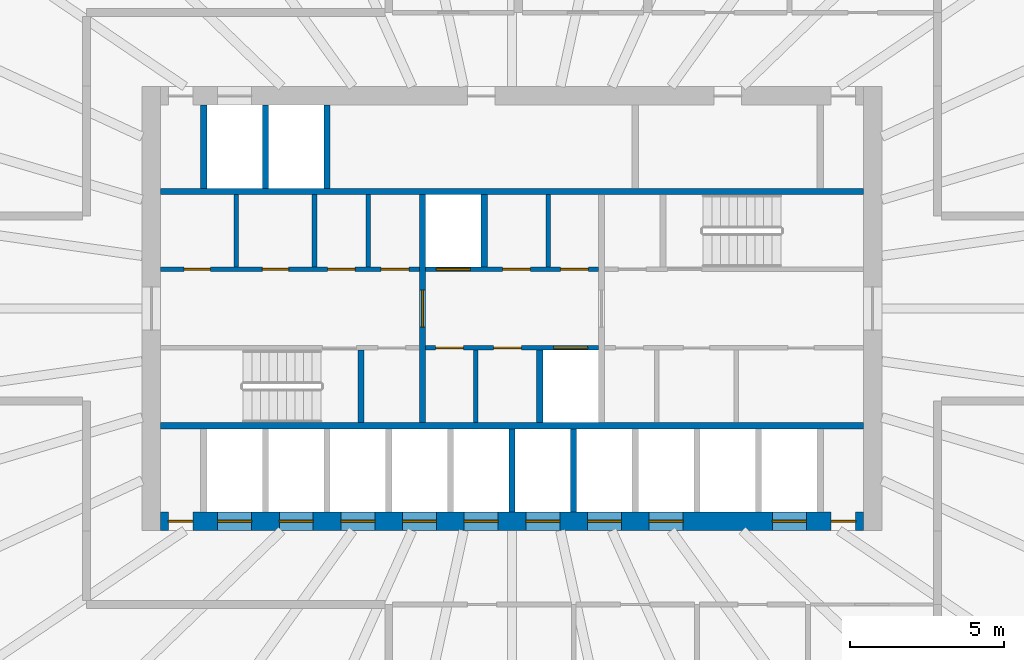
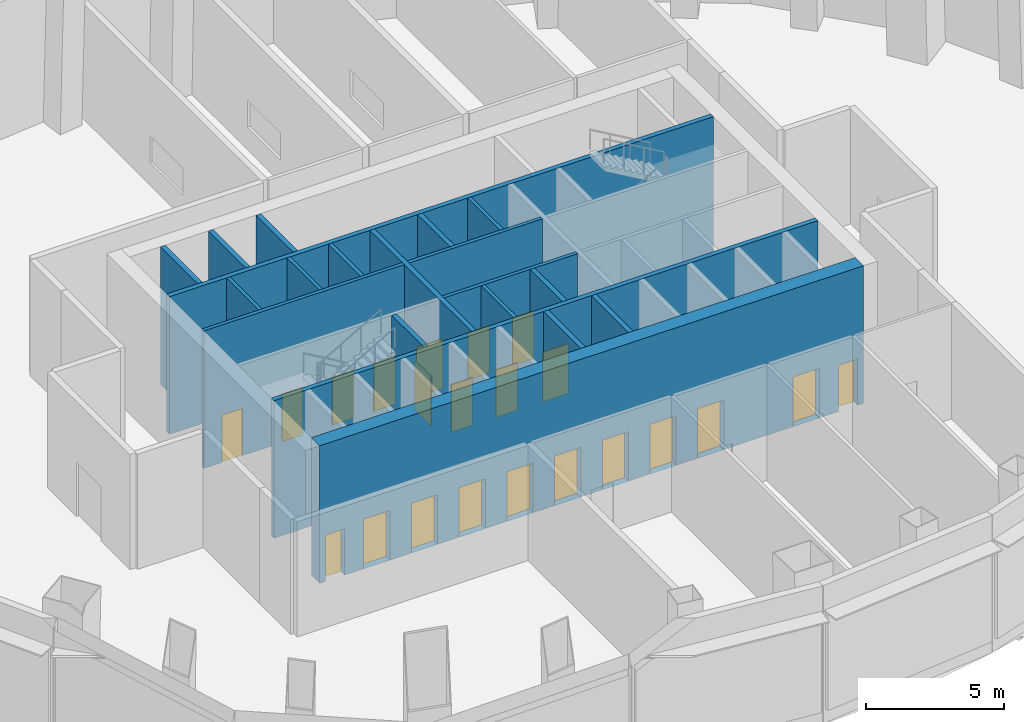
# One storey, part 3 of 9: 22 doors, 20 walls, 22 openings.
"""IFC4 building model written with IfcOpenShell, lengths in metres."""

from ifc_helpers import new_model, si_unit, direction, frame, frame_2d, origin, place, context, subcontext, project, spatial, rectangle, extrude, material, layer, layer_set, type_object, element, fill, save


model = new_model("IFC4")

# Units and contexts
model_context = context("Model", 3, precision=1e-05, world=origin(), true_north=direction((0.0, 1.0)))
body_context = subcontext(model_context, "Body", "Model", "MODEL_VIEW")
ifc_project = project(units=[si_unit("LENGTHUNIT", "METRE"), si_unit("AREAUNIT", "SQUARE_METRE"), si_unit("VOLUMEUNIT", "CUBIC_METRE"), si_unit("PLANEANGLEUNIT", "RADIAN"), si_unit("MASSUNIT", "GRAM", prefix="KILO")], contexts=[model_context])

# Site, building, storey
site_placement = place(None, origin())
site = spatial("IfcSite", under=ifc_project, at=site_placement, CompositionType="ELEMENT")
building_placement = place(site_placement, origin())
building = spatial("IfcBuilding", under=site, at=building_placement, Name="Siaravel Broadcast Tower", CompositionType="ELEMENT")
storey_placement = place(building_placement, frame((0.0, 0.0, 13.5)))
storey = spatial("IfcBuildingStorey", under=building, at=storey_placement, Name="L02", CompositionType="ELEMENT", Elevation=13.5)

# Walls
ifc_material_1 = material(Name="Concrete blockwork", Category="masonry")
ifc_layer_1 = layer(ifc_material_1, 0.14990234375)
ifc_layer_set_1 = layer_set([ifc_layer_1], Name="Concrete blockwork")
wall_type_1 = type_object("IfcWallType", Name="Core partition 150", PredefinedType="PARTITIONING", material=ifc_layer_set_1)
for number, where, z_axis, x_axis, name in (
    (1, (-8.93994140625, 1.35009765625, 0.0), (0.0, 0.0, 1.0), (0.0, 1.0, 0.0), "L02 core partition PNW0"),
    (2, (-6.405029296875, 1.35009765625, 0.0), (0.0, 0.0, 1.0), (0.0, 1.0, 0.0), "L02 core partition PNW1"),
    (3, (-4.6650390625, 1.35009765625, 0.0), (0.0, 0.0, 1.0), (0.0, 1.0, 0.0), "L02 core partition PNW2"),
    (4, (1.172607421875, 1.35009765625, 0.0), (0.0, 0.0, 1.0), (0.0, 1.0, 0.0), "L02 core partition PNM0"),
    (5, (-1.172607421875, -3.699951171875, 0.0), (0.0, 0.0, 1.0), (0.0, 1.0, 0.0), "L02 core partition PSM0"),
):
    element("IfcWall", number, at=place(storey_placement, frame(where, z_axis=z_axis, x_axis=x_axis)), inside=storey, type_object=wall_type_1, Name=name, PredefinedType="PARTITIONING", context=body_context, shape_type="SweptSolid", body=[
        extrude(rectangle(XDim=2.349853515625, YDim=0.14990234375, at=frame_2d((1.1748046875, 0.0))), origin(), (0.0, 0.0, 1.0), 6.10009765625),
    ])

# Wall, openings, doors
ifc_material_2 = material(Name="Concrete C60/75", Category="concrete")
ifc_layer_2 = layer(ifc_material_2, 0.60009765625)
ifc_layer_set_2 = layer_set([ifc_layer_2], Name="Concrete C60/75")
wall_type_2 = type_object("IfcWallType", Name="Core wall 600", PredefinedType="SHEAR", material=ifc_layer_set_2)
wall_1_placement = place(storey_placement, frame((-11.39990234375, -6.89990234375, 0.0), z_axis=(0.0, 0.0, 1.0), x_axis=(1.0, 0.0, 0.0)))
wall_1 = element("IfcWall", 6, at=wall_1_placement, inside=storey, type_object=wall_type_2, Name="L02 core wall OS", PredefinedType="SHEAR", context=body_context, shape_type="SweptSolid", body=[
    extrude(rectangle(XDim=22.7998046875, YDim=0.60009765625, at=frame_2d((11.39990234375, 0.0))), origin(), (0.0, 0.0, 1.0), 6.10009765625),
])
opening_1_placement = place(wall_1_placement, frame((1.85009765625, 0.0, 0.0)))
opening_1 = element("IfcOpeningElement", 7, at=opening_1_placement, cuts=wall_1, Name="Opening LD-LP1-L02", PredefinedType="OPENING", context=body_context, shape_type="SweptSolid", body=[
    extrude(rectangle(XDim=1.10009765625, YDim=2.199951171875, at=frame_2d((0.550048828125, 1.10009765625))), frame((0.0, 0.31005859375, 0.0), z_axis=(0.0, -1.0, 0.0), x_axis=(1.0, 0.0, 0.0)), (0.0, 0.0, 1.0), 0.6201171875),
])
opening_2_placement = place(wall_1_placement, frame((3.85009765625, 0.0, 0.0)))
opening_2 = element("IfcOpeningElement", 8, at=opening_2_placement, cuts=wall_1, Name="Opening LD-LP2-L02", PredefinedType="OPENING", context=body_context, shape_type="SweptSolid", body=[
    extrude(rectangle(XDim=1.10009765625, YDim=2.199951171875, at=frame_2d((0.550048828125, 1.10009765625))), frame((0.0, 0.31005859375, 0.0), z_axis=(0.0, -1.0, 0.0), x_axis=(1.0, 0.0, 0.0)), (0.0, 0.0, 1.0), 0.6201171875),
])
opening_3_placement = place(wall_1_placement, frame((5.85009765625, 0.0, 0.0)))
opening_3 = element("IfcOpeningElement", 9, at=opening_3_placement, cuts=wall_1, Name="Opening LD-LP3-L02", PredefinedType="OPENING", context=body_context, shape_type="SweptSolid", body=[
    extrude(rectangle(XDim=1.10009765625, YDim=2.199951171875, at=frame_2d((0.550048828125, 1.10009765625))), frame((0.0, 0.31005859375, 0.0), z_axis=(0.0, -1.0, 0.0), x_axis=(1.0, 0.0, 0.0)), (0.0, 0.0, 1.0), 0.6201171875),
])
opening_4_placement = place(wall_1_placement, frame((7.85009765625, 0.0, 0.0)))
opening_4 = element("IfcOpeningElement", 10, at=opening_4_placement, cuts=wall_1, Name="Opening LD-LP4-L02", PredefinedType="OPENING", context=body_context, shape_type="SweptSolid", body=[
    extrude(rectangle(XDim=1.10009765625, YDim=2.199951171875, at=frame_2d((0.550048828125, 1.10009765625))), frame((0.0, 0.31005859375, 0.0), z_axis=(0.0, -1.0, 0.0), x_axis=(1.0, 0.0, 0.0)), (0.0, 0.0, 1.0), 0.6201171875),
])
opening_5_placement = place(wall_1_placement, frame((9.85009765625, 0.0, 0.0)))
opening_5 = element("IfcOpeningElement", 11, at=opening_5_placement, cuts=wall_1, Name="Opening LD-LP5-L02", PredefinedType="OPENING", context=body_context, shape_type="SweptSolid", body=[
    extrude(rectangle(XDim=1.10009765625, YDim=2.199951171875, at=frame_2d((0.550048828125, 1.10009765625))), frame((0.0, 0.31005859375, 0.0), z_axis=(0.0, -1.0, 0.0), x_axis=(1.0, 0.0, 0.0)), (0.0, 0.0, 1.0), 0.6201171875),
])
opening_6_placement = place(wall_1_placement, frame((11.85009765625, 0.0, 0.0)))
opening_6 = element("IfcOpeningElement", 12, at=opening_6_placement, cuts=wall_1, Name="Opening LD-LP6-L02", PredefinedType="OPENING", context=body_context, shape_type="SweptSolid", body=[
    extrude(rectangle(XDim=1.10009765625, YDim=2.199951171875, at=frame_2d((0.550048828125, 1.10009765625))), frame((0.0, 0.31005859375, 0.0), z_axis=(0.0, -1.0, 0.0), x_axis=(1.0, 0.0, 0.0)), (0.0, 0.0, 1.0), 0.6201171875),
])
opening_7_placement = place(wall_1_placement, frame((13.85009765625, 0.0, 0.0)))
opening_7 = element("IfcOpeningElement", 13, at=opening_7_placement, cuts=wall_1, Name="Opening LD-LP7-L02", PredefinedType="OPENING", context=body_context, shape_type="SweptSolid", body=[
    extrude(rectangle(XDim=1.10009765625, YDim=2.199951171875, at=frame_2d((0.550048828125, 1.10009765625))), frame((0.0, 0.31005859375, 0.0), z_axis=(0.0, -1.0, 0.0), x_axis=(1.0, 0.0, 0.0)), (0.0, 0.0, 1.0), 0.6201171875),
])
opening_8_placement = place(wall_1_placement, frame((15.85009765625, 0.0, 0.0)))
opening_8 = element("IfcOpeningElement", 14, at=opening_8_placement, cuts=wall_1, Name="Opening LD-LP8-L02", PredefinedType="OPENING", context=body_context, shape_type="SweptSolid", body=[
    extrude(rectangle(XDim=1.10009765625, YDim=2.199951171875, at=frame_2d((0.550048828125, 1.10009765625))), frame((0.0, 0.31005859375, 0.0), z_axis=(0.0, -1.0, 0.0), x_axis=(1.0, 0.0, 0.0)), (0.0, 0.0, 1.0), 0.6201171875),
])
opening_9_placement = place(wall_1_placement, frame((19.85009765625, 0.0, 0.0)))
opening_9 = element("IfcOpeningElement", 15, at=opening_9_placement, cuts=wall_1, Name="Opening LD-SV1-L02", PredefinedType="OPENING", context=body_context, shape_type="SweptSolid", body=[
    extrude(rectangle(XDim=1.10009765625, YDim=2.199951171875, at=frame_2d((0.550048828125, 1.10009765625))), frame((0.0, 0.31005859375, 0.0), z_axis=(0.0, -1.0, 0.0), x_axis=(1.0, 0.0, 0.0)), (0.0, 0.0, 1.0), 0.6201171875),
])
opening_10_placement = place(wall_1_placement, frame((0.25, 0.0, 0.0)))
opening_10 = element("IfcOpeningElement", 16, at=opening_10_placement, cuts=wall_1, Name="Opening L02-DRSW", PredefinedType="OPENING", context=body_context, shape_type="SweptSolid", body=[
    extrude(rectangle(XDim=0.800048828125, YDim=2.050048828125, at=frame_2d((0.39990234375, 1.02490234375))), frame((0.0, 0.31005859375, 0.0), z_axis=(0.0, -1.0, 0.0), x_axis=(1.0, 0.0, 0.0)), (0.0, 0.0, 1.0), 0.6201171875),
])
opening_11_placement = place(wall_1_placement, frame((21.75, 0.0, 0.0)))
opening_11 = element("IfcOpeningElement", 17, at=opening_11_placement, cuts=wall_1, Name="Opening L02-DRSE", PredefinedType="OPENING", context=body_context, shape_type="SweptSolid", body=[
    extrude(rectangle(XDim=0.800048828125, YDim=2.050048828125, at=frame_2d((0.39990234375, 1.02490234375))), frame((0.0, 0.31005859375, 0.0), z_axis=(0.0, -1.0, 0.0), x_axis=(1.0, 0.0, 0.0)), (0.0, 0.0, 1.0), 0.6201171875),
])
ifc_material_3 = material(Name="Stainless steel 316L", Category="steel")
door_type_1 = type_object("IfcDoorType", Name="Lift landing door 1100", OperationType="DOUBLE_DOOR_SLIDING", PredefinedType="DOOR", material=ifc_material_3)
door_1_placement = place(opening_1_placement, origin())
door_1 = element("IfcDoor", 18, at=door_1_placement, inside=storey, type_object=door_type_1, Name="Landing door LP1 L02", OperationType="DOUBLE_DOOR_SLIDING", OverallHeight=2.199951171875, OverallWidth=1.10009765625, PredefinedType="DOOR", context=body_context, shape_type="SweptSolid", body=[
    extrude(rectangle(XDim=1.10009765625, YDim=2.199951171875, at=frame_2d((0.550048828125, 1.10009765625))), frame((0.0, 0.02490234375, 0.0), z_axis=(0.0, -1.0, 0.0), x_axis=(1.0, 0.0, 0.0)), (0.0, 0.0, 1.0), 0.050048828125),
])
fill(opening_1, door_1)
door_2_placement = place(opening_2_placement, origin())
door_2 = element("IfcDoor", 19, at=door_2_placement, inside=storey, type_object=door_type_1, Name="Landing door LP2 L02", OperationType="DOUBLE_DOOR_SLIDING", OverallHeight=2.199951171875, OverallWidth=1.10009765625, PredefinedType="DOOR", context=body_context, shape_type="SweptSolid", body=[
    extrude(rectangle(XDim=1.10009765625, YDim=2.199951171875, at=frame_2d((0.550048828125, 1.10009765625))), frame((0.0, 0.02490234375, 0.0), z_axis=(0.0, -1.0, 0.0), x_axis=(1.0, 0.0, 0.0)), (0.0, 0.0, 1.0), 0.050048828125),
])
fill(opening_2, door_2)
door_3_placement = place(opening_3_placement, origin())
door_3 = element("IfcDoor", 20, at=door_3_placement, inside=storey, type_object=door_type_1, Name="Landing door LP3 L02", OperationType="DOUBLE_DOOR_SLIDING", OverallHeight=2.199951171875, OverallWidth=1.10009765625, PredefinedType="DOOR", context=body_context, shape_type="SweptSolid", body=[
    extrude(rectangle(XDim=1.10009765625, YDim=2.199951171875, at=frame_2d((0.550048828125, 1.10009765625))), frame((0.0, 0.02490234375, 0.0), z_axis=(0.0, -1.0, 0.0), x_axis=(1.0, 0.0, 0.0)), (0.0, 0.0, 1.0), 0.050048828125),
])
fill(opening_3, door_3)
door_4_placement = place(opening_4_placement, origin())
door_4 = element("IfcDoor", 21, at=door_4_placement, inside=storey, type_object=door_type_1, Name="Landing door LP4 L02", OperationType="DOUBLE_DOOR_SLIDING", OverallHeight=2.199951171875, OverallWidth=1.10009765625, PredefinedType="DOOR", context=body_context, shape_type="SweptSolid", body=[
    extrude(rectangle(XDim=1.10009765625, YDim=2.199951171875, at=frame_2d((0.550048828125, 1.10009765625))), frame((0.0, 0.02490234375, 0.0), z_axis=(0.0, -1.0, 0.0), x_axis=(1.0, 0.0, 0.0)), (0.0, 0.0, 1.0), 0.050048828125),
])
fill(opening_4, door_4)
door_5_placement = place(opening_5_placement, origin())
door_5 = element("IfcDoor", 22, at=door_5_placement, inside=storey, type_object=door_type_1, Name="Landing door LP5 L02", OperationType="DOUBLE_DOOR_SLIDING", OverallHeight=2.199951171875, OverallWidth=1.10009765625, PredefinedType="DOOR", context=body_context, shape_type="SweptSolid", body=[
    extrude(rectangle(XDim=1.10009765625, YDim=2.199951171875, at=frame_2d((0.550048828125, 1.10009765625))), frame((0.0, 0.02490234375, 0.0), z_axis=(0.0, -1.0, 0.0), x_axis=(1.0, 0.0, 0.0)), (0.0, 0.0, 1.0), 0.050048828125),
])
fill(opening_5, door_5)
door_6_placement = place(opening_6_placement, origin())
door_6 = element("IfcDoor", 23, at=door_6_placement, inside=storey, type_object=door_type_1, Name="Landing door LP6 L02", OperationType="DOUBLE_DOOR_SLIDING", OverallHeight=2.199951171875, OverallWidth=1.10009765625, PredefinedType="DOOR", context=body_context, shape_type="SweptSolid", body=[
    extrude(rectangle(XDim=1.10009765625, YDim=2.199951171875, at=frame_2d((0.550048828125, 1.10009765625))), frame((0.0, 0.02490234375, 0.0), z_axis=(0.0, -1.0, 0.0), x_axis=(1.0, 0.0, 0.0)), (0.0, 0.0, 1.0), 0.050048828125),
])
fill(opening_6, door_6)
door_7_placement = place(opening_7_placement, origin())
door_7 = element("IfcDoor", 24, at=door_7_placement, inside=storey, type_object=door_type_1, Name="Landing door LP7 L02", OperationType="DOUBLE_DOOR_SLIDING", OverallHeight=2.199951171875, OverallWidth=1.10009765625, PredefinedType="DOOR", context=body_context, shape_type="SweptSolid", body=[
    extrude(rectangle(XDim=1.10009765625, YDim=2.199951171875, at=frame_2d((0.550048828125, 1.10009765625))), frame((0.0, 0.02490234375, 0.0), z_axis=(0.0, -1.0, 0.0), x_axis=(1.0, 0.0, 0.0)), (0.0, 0.0, 1.0), 0.050048828125),
])
fill(opening_7, door_7)
door_8_placement = place(opening_8_placement, origin())
door_8 = element("IfcDoor", 25, at=door_8_placement, inside=storey, type_object=door_type_1, Name="Landing door LP8 L02", OperationType="DOUBLE_DOOR_SLIDING", OverallHeight=2.199951171875, OverallWidth=1.10009765625, PredefinedType="DOOR", context=body_context, shape_type="SweptSolid", body=[
    extrude(rectangle(XDim=1.10009765625, YDim=2.199951171875, at=frame_2d((0.550048828125, 1.10009765625))), frame((0.0, 0.02490234375, 0.0), z_axis=(0.0, -1.0, 0.0), x_axis=(1.0, 0.0, 0.0)), (0.0, 0.0, 1.0), 0.050048828125),
])
fill(opening_8, door_8)
ifc_material_4 = material(Name="Steel", Category="steel")
door_type_2 = type_object("IfcDoorType", Name="Riser door 800", OperationType="SINGLE_SWING_LEFT", PredefinedType="DOOR", material=ifc_material_4)
door_9_placement = place(opening_10_placement, origin())
door_9 = element("IfcDoor", 26, at=door_9_placement, inside=storey, type_object=door_type_2, Name="L02 door DRSW", OperationType="SINGLE_SWING_LEFT", OverallHeight=2.050048828125, OverallWidth=0.800048828125, PredefinedType="DOOR", context=body_context, shape_type="SweptSolid", body=[
    extrude(rectangle(XDim=0.800048828125, YDim=2.050048828125, at=frame_2d((0.39990234375, 1.02490234375))), frame((0.0, 0.02490234375, 0.0), z_axis=(0.0, -1.0, 0.0), x_axis=(1.0, 0.0, 0.0)), (0.0, 0.0, 1.0), 0.050048828125),
])
fill(opening_10, door_9)
door_10_placement = place(opening_11_placement, origin())
door_10 = element("IfcDoor", 27, at=door_10_placement, inside=storey, type_object=door_type_2, Name="L02 door DRSE", OperationType="SINGLE_SWING_LEFT", OverallHeight=2.050048828125, OverallWidth=0.800048828125, PredefinedType="DOOR", context=body_context, shape_type="SweptSolid", body=[
    extrude(rectangle(XDim=0.800048828125, YDim=2.050048828125, at=frame_2d((0.39990234375, 1.02490234375))), frame((0.0, 0.02490234375, 0.0), z_axis=(0.0, -1.0, 0.0), x_axis=(1.0, 0.0, 0.0)), (0.0, 0.0, 1.0), 0.050048828125),
])
fill(opening_11, door_10)
door_type_3 = type_object("IfcDoorType", Name="Service lift landing door 1100", OperationType="DOUBLE_DOOR_SLIDING", PredefinedType="DOOR", material=ifc_material_3)
door_11_placement = place(opening_9_placement, origin())
door_11 = element("IfcDoor", 28, at=door_11_placement, inside=storey, type_object=door_type_3, Name="Landing door SV1 L02", OperationType="DOUBLE_DOOR_SLIDING", OverallHeight=2.199951171875, OverallWidth=1.10009765625, PredefinedType="DOOR", context=body_context, shape_type="SweptSolid", body=[
    extrude(rectangle(XDim=1.10009765625, YDim=2.199951171875, at=frame_2d((0.550048828125, 1.10009765625))), frame((0.0, 0.02490234375, 0.0), z_axis=(0.0, -1.0, 0.0), x_axis=(1.0, 0.0, 0.0)), (0.0, 0.0, 1.0), 0.050048828125),
])
fill(opening_9, door_11)

ifc_material_5 = material(Name="Gypsum board partition", Category="gypsum")
ifc_layer_3 = layer(ifc_material_5, 0.14990234375)
ifc_layer_set_3 = layer_set([ifc_layer_3], Name="Gypsum board partition")
wall_type_3 = type_object("IfcWallType", Name="Corridor wall 150", PredefinedType="PARTITIONING", material=ifc_layer_set_3)
wall_2_placement = place(storey_placement, frame((-11.39990234375, 1.27490234375, 0.0), z_axis=(0.0, 0.0, 1.0), x_axis=(1.0, 0.0, 0.0)))
wall_2 = element("IfcWall", 29, at=wall_2_placement, inside=storey, type_object=wall_type_3, Name="L02 core partition CNW", PredefinedType="PARTITIONING", context=body_context, shape_type="SweptSolid", body=[
    extrude(rectangle(XDim=8.39990234375, YDim=0.14990234375, at=frame_2d((4.199951171875, 0.0))), origin(), (0.0, 0.0, 1.0), 6.10009765625),
])
opening_12_placement = place(wall_2_placement, frame((0.767578125, 0.0, 0.0)))
opening_12 = element("IfcOpeningElement", 30, at=opening_12_placement, cuts=wall_2, Name="Opening L02-DNW0", PredefinedType="OPENING", context=body_context, shape_type="SweptSolid", body=[
    extrude(rectangle(XDim=0.85009765625, YDim=2.10009765625, at=frame_2d((0.425048828125, 1.050048828125))), frame((0.0, 0.0849609375, 0.0), z_axis=(0.0, -1.0, 0.0), x_axis=(1.0, 0.0, 0.0)), (0.0, 0.0, 1.0), 0.169921875),
])
opening_13_placement = place(wall_2_placement, frame((3.302490234375, 0.0, 0.0)))
opening_13 = element("IfcOpeningElement", 31, at=opening_13_placement, cuts=wall_2, Name="Opening L02-DNW1", PredefinedType="OPENING", context=body_context, shape_type="SweptSolid", body=[
    extrude(rectangle(XDim=0.85009765625, YDim=2.10009765625, at=frame_2d((0.425048828125, 1.050048828125))), frame((0.0, 0.0849609375, 0.0), z_axis=(0.0, -1.0, 0.0), x_axis=(1.0, 0.0, 0.0)), (0.0, 0.0, 1.0), 0.169921875),
])
opening_14_placement = place(wall_2_placement, frame((5.4150390625, 0.0, 0.0)))
opening_14 = element("IfcOpeningElement", 32, at=opening_14_placement, cuts=wall_2, Name="Opening L02-DNW2", PredefinedType="OPENING", context=body_context, shape_type="SweptSolid", body=[
    extrude(rectangle(XDim=0.89990234375, YDim=2.10009765625, at=frame_2d((0.449951171875, 1.050048828125))), frame((0.0, 0.0849609375, 0.0), z_axis=(0.0, -1.0, 0.0), x_axis=(1.0, 0.0, 0.0)), (0.0, 0.0, 1.0), 0.169921875),
])
opening_15_placement = place(wall_2_placement, frame((7.155029296875, 0.0, 0.0)))
opening_15 = element("IfcOpeningElement", 33, at=opening_15_placement, cuts=wall_2, Name="Opening L02-DNW3", PredefinedType="OPENING", context=body_context, shape_type="SweptSolid", body=[
    extrude(rectangle(XDim=0.89990234375, YDim=2.10009765625, at=frame_2d((0.449951171875, 1.050048828125))), frame((0.0, 0.0849609375, 0.0), z_axis=(0.0, -1.0, 0.0), x_axis=(1.0, 0.0, 0.0)), (0.0, 0.0, 1.0), 0.169921875),
])
ifc_material_6 = material(Name="Timber veneer", Category="wood")
door_type_4 = type_object("IfcDoorType", Name="Core room door 900", OperationType="SINGLE_SWING_LEFT", PredefinedType="DOOR", material=ifc_material_6)
door_12_placement = place(opening_14_placement, origin())
door_12 = element("IfcDoor", 34, at=door_12_placement, inside=storey, type_object=door_type_4, Name="L02 door DNW2", OperationType="SINGLE_SWING_LEFT", OverallHeight=2.10009765625, OverallWidth=0.89990234375, PredefinedType="DOOR", context=body_context, shape_type="SweptSolid", body=[
    extrude(rectangle(XDim=0.89990234375, YDim=2.10009765625, at=frame_2d((0.449951171875, 1.050048828125))), frame((0.0, 0.02490234375, 0.0), z_axis=(0.0, -1.0, 0.0), x_axis=(1.0, 0.0, 0.0)), (0.0, 0.0, 1.0), 0.050048828125),
])
fill(opening_14, door_12)
door_13_placement = place(opening_15_placement, origin())
door_13 = element("IfcDoor", 35, at=door_13_placement, inside=storey, type_object=door_type_4, Name="L02 door DNW3", OperationType="SINGLE_SWING_LEFT", OverallHeight=2.10009765625, OverallWidth=0.89990234375, PredefinedType="DOOR", context=body_context, shape_type="SweptSolid", body=[
    extrude(rectangle(XDim=0.89990234375, YDim=2.10009765625, at=frame_2d((0.449951171875, 1.050048828125))), frame((0.0, 0.02490234375, 0.0), z_axis=(0.0, -1.0, 0.0), x_axis=(1.0, 0.0, 0.0)), (0.0, 0.0, 1.0), 0.050048828125),
])
fill(opening_15, door_13)
door_type_5 = type_object("IfcDoorType", Name="Core toilet door 850", OperationType="SINGLE_SWING_LEFT", PredefinedType="DOOR", material=ifc_material_6)
door_14_placement = place(opening_12_placement, origin())
door_14 = element("IfcDoor", 36, at=door_14_placement, inside=storey, type_object=door_type_5, Name="L02 door DNW0", OperationType="SINGLE_SWING_LEFT", OverallHeight=2.10009765625, OverallWidth=0.85009765625, PredefinedType="DOOR", context=body_context, shape_type="SweptSolid", body=[
    extrude(rectangle(XDim=0.85009765625, YDim=2.10009765625, at=frame_2d((0.425048828125, 1.050048828125))), frame((0.0, 0.02490234375, 0.0), z_axis=(0.0, -1.0, 0.0), x_axis=(1.0, 0.0, 0.0)), (0.0, 0.0, 1.0), 0.050048828125),
])
fill(opening_12, door_14)
door_15_placement = place(opening_13_placement, origin())
door_15 = element("IfcDoor", 37, at=door_15_placement, inside=storey, type_object=door_type_5, Name="L02 door DNW1", OperationType="SINGLE_SWING_LEFT", OverallHeight=2.10009765625, OverallWidth=0.85009765625, PredefinedType="DOOR", context=body_context, shape_type="SweptSolid", body=[
    extrude(rectangle(XDim=0.85009765625, YDim=2.10009765625, at=frame_2d((0.425048828125, 1.050048828125))), frame((0.0, 0.02490234375, 0.0), z_axis=(0.0, -1.0, 0.0), x_axis=(1.0, 0.0, 0.0)), (0.0, 0.0, 1.0), 0.050048828125),
])
fill(opening_13, door_15)

ifc_layer_4 = layer(ifc_material_2, 0.14990234375)
ifc_layer_set_4 = layer_set([ifc_layer_4], Name="Concrete C60/75")
wall_type_4 = type_object("IfcWallType", Name="Shaft wall 150", PredefinedType="SHEAR", material=ifc_layer_set_4)
wall_3_placement = place(storey_placement, frame((-2.800048828125, -1.27490234375, 0.0), z_axis=(0.0, 0.0, 1.0), x_axis=(1.0, 0.0, 0.0)))
wall_3 = element("IfcWall", 38, at=wall_3_placement, inside=storey, type_object=wall_type_4, Name="L02 core wall CSM", PredefinedType="SHEAR", context=body_context, shape_type="SweptSolid", body=[
    extrude(rectangle(XDim=5.60009765625, YDim=0.14990234375, at=frame_2d((2.800048828125, 0.0))), origin(), (0.0, 0.0, 1.0), 6.10009765625),
])
opening_16_placement = place(wall_3_placement, frame((4.14990234375, 0.0, 0.0)))
opening_16 = element("IfcOpeningElement", 39, at=opening_16_placement, cuts=wall_3, Name="Opening LD-FL2-L02", PredefinedType="OPENING", context=body_context, shape_type="SweptSolid", body=[
    extrude(rectangle(XDim=1.10009765625, YDim=2.199951171875, at=frame_2d((0.550048828125, 1.10009765625))), frame((0.0, 0.0849609375, 0.0), z_axis=(0.0, -1.0, 0.0), x_axis=(1.0, 0.0, 0.0)), (0.0, 0.0, 1.0), 0.169921875),
])
opening_17_placement = place(wall_3_placement, frame((0.326416015625, 0.0, 0.0)))
opening_17 = element("IfcOpeningElement", 40, at=opening_17_placement, cuts=wall_3, Name="Opening L02-DSM0", PredefinedType="OPENING", context=body_context, shape_type="SweptSolid", body=[
    extrude(rectangle(XDim=0.89990234375, YDim=2.10009765625, at=frame_2d((0.449951171875, 1.050048828125))), frame((0.0, 0.0849609375, 0.0), z_axis=(0.0, -1.0, 0.0), x_axis=(1.0, 0.0, 0.0)), (0.0, 0.0, 1.0), 0.169921875),
])
opening_18_placement = place(wall_3_placement, frame((2.201416015625, 0.0, 0.0)))
opening_18 = element("IfcOpeningElement", 41, at=opening_18_placement, cuts=wall_3, Name="Opening L02-DSM1", PredefinedType="OPENING", context=body_context, shape_type="SweptSolid", body=[
    extrude(rectangle(XDim=0.89990234375, YDim=2.10009765625, at=frame_2d((0.449951171875, 1.050048828125))), frame((0.0, 0.0849609375, 0.0), z_axis=(0.0, -1.0, 0.0), x_axis=(1.0, 0.0, 0.0)), (0.0, 0.0, 1.0), 0.169921875),
])
door_16_placement = place(opening_17_placement, origin())
door_16 = element("IfcDoor", 42, at=door_16_placement, inside=storey, type_object=door_type_4, Name="L02 door DSM0", OperationType="SINGLE_SWING_LEFT", OverallHeight=2.10009765625, OverallWidth=0.89990234375, PredefinedType="DOOR", context=body_context, shape_type="SweptSolid", body=[
    extrude(rectangle(XDim=0.89990234375, YDim=2.10009765625, at=frame_2d((0.449951171875, 1.050048828125))), frame((0.0, 0.02490234375, 0.0), z_axis=(0.0, -1.0, 0.0), x_axis=(1.0, 0.0, 0.0)), (0.0, 0.0, 1.0), 0.050048828125),
])
fill(opening_17, door_16)
door_17_placement = place(opening_18_placement, origin())
door_17 = element("IfcDoor", 43, at=door_17_placement, inside=storey, type_object=door_type_4, Name="L02 door DSM1", OperationType="SINGLE_SWING_LEFT", OverallHeight=2.10009765625, OverallWidth=0.89990234375, PredefinedType="DOOR", context=body_context, shape_type="SweptSolid", body=[
    extrude(rectangle(XDim=0.89990234375, YDim=2.10009765625, at=frame_2d((0.449951171875, 1.050048828125))), frame((0.0, 0.02490234375, 0.0), z_axis=(0.0, -1.0, 0.0), x_axis=(1.0, 0.0, 0.0)), (0.0, 0.0, 1.0), 0.050048828125),
])
fill(opening_18, door_17)
door_type_6 = type_object("IfcDoorType", Name="Firefighting lift landing door 1100", OperationType="DOUBLE_DOOR_SLIDING", PredefinedType="DOOR", material=ifc_material_3)
door_18_placement = place(opening_16_placement, origin())
door_18 = element("IfcDoor", 44, at=door_18_placement, inside=storey, type_object=door_type_6, Name="Landing door FL2 L02", OperationType="DOUBLE_DOOR_SLIDING", OverallHeight=2.199951171875, OverallWidth=1.10009765625, PredefinedType="DOOR", context=body_context, shape_type="SweptSolid", body=[
    extrude(rectangle(XDim=1.10009765625, YDim=2.199951171875, at=frame_2d((0.550048828125, 1.10009765625))), frame((0.0, 0.02490234375, 0.0), z_axis=(0.0, -1.0, 0.0), x_axis=(1.0, 0.0, 0.0)), (0.0, 0.0, 1.0), 0.050048828125),
])
fill(opening_16, door_18)

wall_4_placement = place(storey_placement, frame((-2.800048828125, 1.27490234375, 0.0), z_axis=(0.0, 0.0, 1.0), x_axis=(1.0, 0.0, 0.0)))
wall_4 = element("IfcWall", 45, at=wall_4_placement, inside=storey, type_object=wall_type_4, Name="L02 core wall CNM", PredefinedType="SHEAR", context=body_context, shape_type="SweptSolid", body=[
    extrude(rectangle(XDim=5.60009765625, YDim=0.14990234375, at=frame_2d((2.800048828125, 0.0))), origin(), (0.0, 0.0, 1.0), 6.10009765625),
])
opening_19_placement = place(wall_4_placement, frame((0.35009765625, 0.0, 0.0)))
opening_19 = element("IfcOpeningElement", 46, at=opening_19_placement, cuts=wall_4, Name="Opening LD-FL1-L02", PredefinedType="OPENING", context=body_context, shape_type="SweptSolid", body=[
    extrude(rectangle(XDim=1.10009765625, YDim=2.199951171875, at=frame_2d((0.550048828125, 1.10009765625))), frame((0.0, 0.0849609375, 0.0), z_axis=(0.0, -1.0, 0.0), x_axis=(1.0, 0.0, 0.0)), (0.0, 0.0, 1.0), 0.169921875),
])
opening_20_placement = place(wall_4_placement, frame((2.498779296875, 0.0, 0.0)))
opening_20 = element("IfcOpeningElement", 47, at=opening_20_placement, cuts=wall_4, Name="Opening L02-DNM0", PredefinedType="OPENING", context=body_context, shape_type="SweptSolid", body=[
    extrude(rectangle(XDim=0.89990234375, YDim=2.10009765625, at=frame_2d((0.449951171875, 1.050048828125))), frame((0.0, 0.0849609375, 0.0), z_axis=(0.0, -1.0, 0.0), x_axis=(1.0, 0.0, 0.0)), (0.0, 0.0, 1.0), 0.169921875),
])
opening_21_placement = place(wall_4_placement, frame((4.373779296875, 0.0, 0.0)))
opening_21 = element("IfcOpeningElement", 48, at=opening_21_placement, cuts=wall_4, Name="Opening L02-DNM1", PredefinedType="OPENING", context=body_context, shape_type="SweptSolid", body=[
    extrude(rectangle(XDim=0.89990234375, YDim=2.10009765625, at=frame_2d((0.449951171875, 1.050048828125))), frame((0.0, 0.0849609375, 0.0), z_axis=(0.0, -1.0, 0.0), x_axis=(1.0, 0.0, 0.0)), (0.0, 0.0, 1.0), 0.169921875),
])
door_19_placement = place(opening_20_placement, origin())
door_19 = element("IfcDoor", 49, at=door_19_placement, inside=storey, type_object=door_type_4, Name="L02 door DNM0", OperationType="SINGLE_SWING_LEFT", OverallHeight=2.10009765625, OverallWidth=0.89990234375, PredefinedType="DOOR", context=body_context, shape_type="SweptSolid", body=[
    extrude(rectangle(XDim=0.89990234375, YDim=2.10009765625, at=frame_2d((0.449951171875, 1.050048828125))), frame((0.0, 0.02490234375, 0.0), z_axis=(0.0, -1.0, 0.0), x_axis=(1.0, 0.0, 0.0)), (0.0, 0.0, 1.0), 0.050048828125),
])
fill(opening_20, door_19)
door_20_placement = place(opening_21_placement, origin())
door_20 = element("IfcDoor", 50, at=door_20_placement, inside=storey, type_object=door_type_4, Name="L02 door DNM1", OperationType="SINGLE_SWING_LEFT", OverallHeight=2.10009765625, OverallWidth=0.89990234375, PredefinedType="DOOR", context=body_context, shape_type="SweptSolid", body=[
    extrude(rectangle(XDim=0.89990234375, YDim=2.10009765625, at=frame_2d((0.449951171875, 1.050048828125))), frame((0.0, 0.02490234375, 0.0), z_axis=(0.0, -1.0, 0.0), x_axis=(1.0, 0.0, 0.0)), (0.0, 0.0, 1.0), 0.050048828125),
])
fill(opening_21, door_20)
door_21_placement = place(opening_19_placement, origin())
door_21 = element("IfcDoor", 51, at=door_21_placement, inside=storey, type_object=door_type_6, Name="Landing door FL1 L02", OperationType="DOUBLE_DOOR_SLIDING", OverallHeight=2.199951171875, OverallWidth=1.10009765625, PredefinedType="DOOR", context=body_context, shape_type="SweptSolid", body=[
    extrude(rectangle(XDim=1.10009765625, YDim=2.199951171875, at=frame_2d((0.550048828125, 1.10009765625))), frame((0.0, 0.02490234375, 0.0), z_axis=(0.0, -1.0, 0.0), x_axis=(1.0, 0.0, 0.0)), (0.0, 0.0, 1.0), 0.050048828125),
])
fill(opening_19, door_21)

# Walls
ifc_layer_5 = layer(ifc_material_2, 0.199951171875)
ifc_layer_set_5 = layer_set([ifc_layer_5], Name="Concrete C60/75")
wall_type_5 = type_object("IfcWallType", Name="Shaft wall 200", PredefinedType="SHEAR", material=ifc_layer_set_5)
for number, where, z_axis, x_axis, name in (
    (52, (-11.39990234375, -3.800048828125, 0.0), (0.0, 0.0, 1.0), (1.0, 0.0, 0.0), "L02 core wall BS"),
    (53, (-11.39990234375, 3.800048828125, 0.0), (0.0, 0.0, 1.0), (1.0, 0.0, 0.0), "L02 core wall BN"),
):
    element("IfcWall", number, at=place(storey_placement, frame(where, z_axis=z_axis, x_axis=x_axis)), inside=storey, type_object=wall_type_5, Name=name, PredefinedType="SHEAR", context=body_context, shape_type="SweptSolid", body=[
        extrude(rectangle(XDim=22.7998046875, YDim=0.199951171875, at=frame_2d((11.39990234375, 0.0))), origin(), (0.0, 0.0, 1.0), 6.10009765625),
    ])
for number, where, z_axis, x_axis, name in (
    (54, (0.0, -6.60009765625, 0.0), (0.0, 0.0, 1.0), (0.0, 1.0, 0.0), "L02 core wall SWS5"),
    (55, (2.0, -6.60009765625, 0.0), (0.0, 0.0, 1.0), (0.0, 1.0, 0.0), "L02 core wall SWS6"),
    (56, (-10.0, 3.89990234375, 0.0), (0.0, 0.0, 1.0), (0.0, 1.0, 0.0), "L02 core wall SWN0"),
    (57, (-8.0, 3.89990234375, 0.0), (0.0, 0.0, 1.0), (0.0, 1.0, 0.0), "L02 core wall SWN1"),
    (58, (-6.0, 3.89990234375, 0.0), (0.0, 0.0, 1.0), (0.0, 1.0, 0.0), "L02 core wall SWN2"),
):
    element("IfcWall", number, at=place(storey_placement, frame(where, z_axis=z_axis, x_axis=x_axis)), inside=storey, type_object=wall_type_5, Name=name, PredefinedType="SHEAR", context=body_context, shape_type="SweptSolid", body=[
        extrude(rectangle(XDim=2.7001953125, YDim=0.199951171875, at=frame_2d((1.35009765625, 0.0))), origin(), (0.0, 0.0, 1.0), 6.10009765625),
    ])

# Wall, opening, door
wall_5_placement = place(storey_placement, frame((-2.89990234375, -3.699951171875, 0.0), z_axis=(0.0, 0.0, 1.0), x_axis=(0.0, 1.0, 0.0)))
wall_5 = element("IfcWall", 59, at=wall_5_placement, inside=storey, type_object=wall_type_5, Name="L02 core wall LW", PredefinedType="SHEAR", context=body_context, shape_type="SweptSolid", body=[
    extrude(rectangle(XDim=7.39990234375, YDim=0.199951171875, at=frame_2d((3.699951171875, 0.0))), origin(), (0.0, 0.0, 1.0), 6.10009765625),
])
opening_22_placement = place(wall_5_placement, frame((3.10009765625, 0.0, 0.0)))
opening_22 = element("IfcOpeningElement", 60, at=opening_22_placement, cuts=wall_5, Name="Opening L02-DL-W", PredefinedType="OPENING", context=body_context, shape_type="SweptSolid", body=[
    extrude(rectangle(XDim=1.199951171875, YDim=2.199951171875, at=frame_2d((0.60009765625, 1.10009765625))), frame((0.0, 0.10986328125, 0.0), z_axis=(0.0, -1.0, 0.0), x_axis=(1.0, 0.0, 0.0)), (0.0, 0.0, 1.0), 0.219970703125),
])
door_type_7 = type_object("IfcDoorType", Name="Firefighting lobby door 1200", OperationType="SINGLE_SWING_LEFT", PredefinedType="DOOR", material=ifc_material_4)
door_22_placement = place(opening_22_placement, origin())
door_22 = element("IfcDoor", 61, at=door_22_placement, inside=storey, type_object=door_type_7, Name="L02 door DL-W", OperationType="SINGLE_SWING_LEFT", OverallHeight=2.199951171875, OverallWidth=1.199951171875, PredefinedType="DOOR", context=body_context, shape_type="SweptSolid", body=[
    extrude(rectangle(XDim=1.199951171875, YDim=2.199951171875, at=frame_2d((0.60009765625, 1.10009765625))), frame((0.0, 0.02490234375, 0.0), z_axis=(0.0, -1.0, 0.0), x_axis=(1.0, 0.0, 0.0)), (0.0, 0.0, 1.0), 0.050048828125),
])
fill(opening_22, door_22)

# Walls
for number, where, z_axis, x_axis, name in (
    (62, (-0.89990234375, 1.35009765625, 0.0), (0.0, 0.0, 1.0), (0.0, 1.0, 0.0), "L02 core wall FF1E"),
    (63, (0.89990234375, -3.699951171875, 0.0), (0.0, 0.0, 1.0), (0.0, 1.0, 0.0), "L02 core wall FF2W"),
    (64, (-4.89990234375, -3.699951171875, 0.0), (0.0, 0.0, 1.0), (0.0, 1.0, 0.0), "L02 core wall ST1E"),
):
    element("IfcWall", number, at=place(storey_placement, frame(where, z_axis=z_axis, x_axis=x_axis)), inside=storey, type_object=wall_type_5, Name=name, PredefinedType="SHEAR", context=body_context, shape_type="SweptSolid", body=[
        extrude(rectangle(XDim=2.349853515625, YDim=0.199951171875, at=frame_2d((1.1748046875, 0.0))), origin(), (0.0, 0.0, 1.0), 6.10009765625),
    ])

save(model, "model.ifc")
